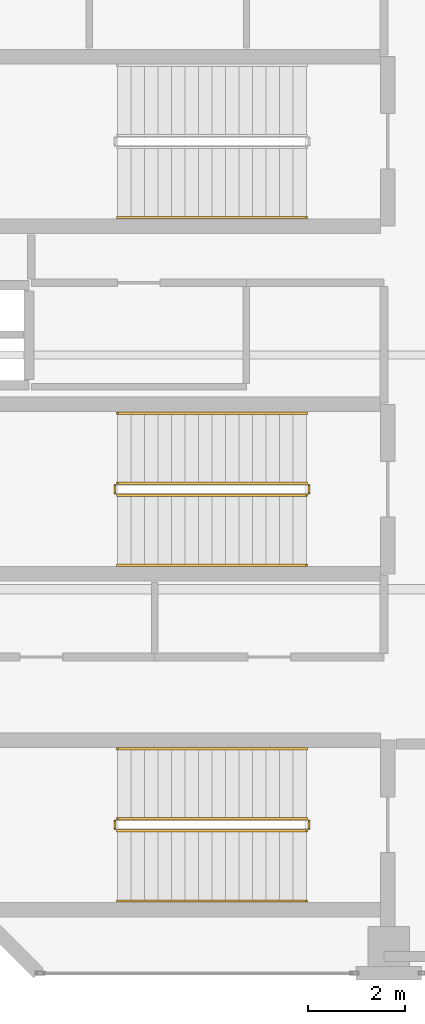
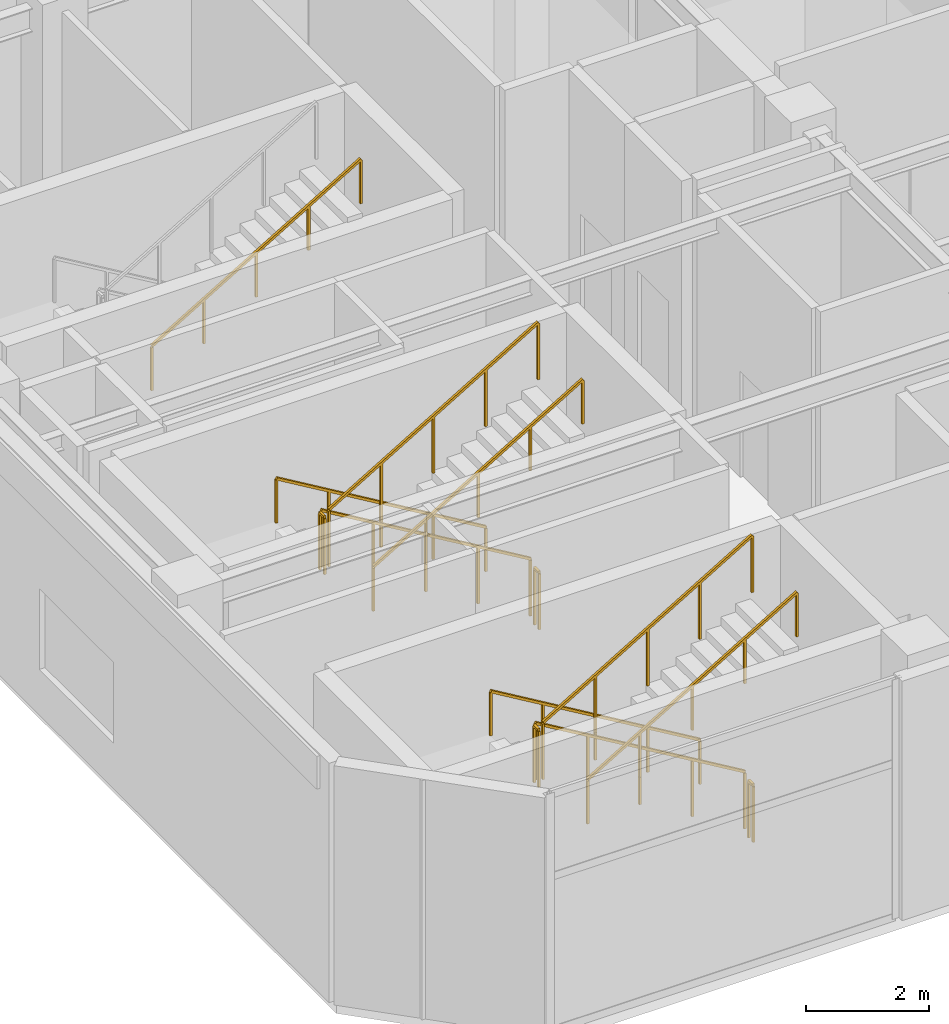
# One storey, part 13 of 16: 13 railings.
"""IFC4 building model written with IfcOpenShell, lengths in metres."""

import ifcopenshell
import ifcopenshell.guid

model = None  # the IFC model being written
_history = None  # IfcOwnerHistory: only IFC2X3 demands one
_inside = {}  # id of a spatial element -> (the spatial element, [elements in it])
_under = {}  # id of a project, library or spatial element -> (it, [spatial elements below it])
_declared = {}  # id of a project -> (the project, [libraries it declares])
_typed = {}  # id of a type object -> (the type object, [elements of that type])
_made_of = {}  # id of a material, layer set ... -> (it, [elements and type objects made of it])


def new_model(schema):
    """Start an empty IFC model of exactly this schema.

    Asked for "IFC4X3", IfcOpenShell would pick the latest addendum, in which some entities
    have other attributes; the version numbers below select the first issue.
    IFC2X3 requires an IfcOwnerHistory on every rooted entity: one is made here for all.
    """
    global model, _history
    if schema == "IFC4X3":
        model = ifcopenshell.file(schema_version=(4, 3, 0, 0))
    else:
        model = ifcopenshell.file(schema=schema)
    _inside.clear()
    _under.clear()
    _declared.clear()
    _typed.clear()
    _made_of.clear()
    _history = None
    if model.schema == "IFC2X3":
        org = make("IfcOrganization", Name="unknown")
        user = make(
            "IfcPersonAndOrganization",
            ThePerson=make("IfcPerson", FamilyName="unknown"),
            TheOrganization=org,
        )
        app = make(
            "IfcApplication",
            ApplicationDeveloper=org,
            Version="unknown",
            ApplicationFullName="unknown",
            ApplicationIdentifier="unknown",
        )
        _history = make(
            "IfcOwnerHistory",
            OwningUser=user,
            OwningApplication=app,
            ChangeAction="ADDED",
            CreationDate=0,
        )
    return model


def make(cls, **values):
    """One entity of the class cls with the attributes given. An attribute that is None is left unset."""
    return model.create_entity(
        cls, **{name: value for name, value in values.items() if value is not None}
    )


def rooted(cls, **values):
    """An entity with a GlobalId (a new one), such as an element, a storey or a relation."""
    return make(cls, GlobalId=ifcopenshell.guid.new(), OwnerHistory=_history, **values)


def si_unit(unit_type, name, prefix=None):
    """IfcSIUnit, for example si_unit("LENGTHUNIT", "METRE", prefix="MILLI")."""
    return make("IfcSIUnit", UnitType=unit_type, Prefix=prefix, Name=name)


def assignment(units):
    """IfcUnitAssignment: the units of a project."""
    return None if units is None else make("IfcUnitAssignment", Units=units)


def point(xyz):
    """IfcCartesianPoint."""
    return None if xyz is None else make("IfcCartesianPoint", Coordinates=xyz)


def direction(xyz):
    """IfcDirection."""
    return None if xyz is None else make("IfcDirection", DirectionRatios=xyz)


def frame(location, z_axis=None, x_axis=None):
    """IfcAxis2Placement3D, a coordinate frame: its origin and axes. An axis left out is left unset."""
    return make(
        "IfcAxis2Placement3D",
        Location=point(location),
        Axis=direction(z_axis),
        RefDirection=direction(x_axis),
    )


def frame_2d(location, x_axis=None):
    """IfcAxis2Placement2D, a coordinate frame in the plane: its origin and x axis."""
    return make(
        "IfcAxis2Placement2D", Location=point(location), RefDirection=direction(x_axis)
    )


def origin():
    """The frame at (0, 0, 0) with its axes left unset."""
    return frame((0.0, 0.0, 0.0))


def origin_2d():
    """The frame at (0, 0) in the plane with its x axis left unset."""
    return frame_2d((0.0, 0.0))


def place(relative_to, where):
    """IfcLocalPlacement: puts the frame where relative to a parent placement (None: the world)."""
    return make(
        "IfcLocalPlacement", PlacementRelTo=relative_to, RelativePlacement=where
    )


def context(
    kind, dimensions, precision=None, world=None, true_north=None, identifier=None
):
    """IfcGeometricRepresentationContext, for example the 3D "Model" context."""
    return make(
        "IfcGeometricRepresentationContext",
        ContextIdentifier=identifier,
        ContextType=kind,
        CoordinateSpaceDimension=dimensions,
        Precision=precision,
        WorldCoordinateSystem=world,
        TrueNorth=true_north,
    )


def subcontext(parent, identifier, kind, view, scale=None):
    """IfcGeometricRepresentationSubContext, for example "Body" below "Model"."""
    return make(
        "IfcGeometricRepresentationSubContext",
        ContextIdentifier=identifier,
        ContextType=kind,
        ParentContext=parent,
        TargetScale=scale,
        TargetView=view,
    )


def project(units=None, contexts=None):
    """IfcProject with its units and contexts."""
    return rooted(
        "IfcProject",
        Name="project",
        RepresentationContexts=contexts,
        UnitsInContext=assignment(units),
    )


def spatial(cls, under=None, at=None, **own):
    """A site, building, storey or space (cls), placed at a placement, below another one or the project."""
    s = rooted(cls, ObjectPlacement=at, **own)
    if under is not None:
        _under.setdefault(under.id(), (under, []))[1].append(s)
    return s


def profile(cls, at=None, kind="AREA", **sizes):
    """A parametric profile (cls). Its sizes go by their IFC names, for example OverallWidth=200.0."""
    return make(cls, ProfileType=kind, Position=at, **sizes)


def rectangle(**sizes):
    """IfcRectangleProfileDef."""
    return profile("IfcRectangleProfileDef", **sizes)


def extrude(swept, where, along, depth):
    """IfcExtrudedAreaSolid: the profile swept, set in the frame where, extruded along a direction by depth."""
    return make(
        "IfcExtrudedAreaSolid",
        SweptArea=swept,
        Position=where,
        ExtrudedDirection=direction(along),
        Depth=depth,
    )


def shape(context_of_items, identifier, shape_type, items):
    """IfcShapeRepresentation: the items that make up one representation, for example the "Body"."""
    return make(
        "IfcShapeRepresentation",
        ContextOfItems=context_of_items,
        RepresentationIdentifier=identifier,
        RepresentationType=shape_type,
        Items=items,
    )


def material(Name=None, Category=None):
    """IfcMaterial."""
    return make("IfcMaterial", Name=Name, Category=Category)


def made_of(thing, what):
    """Note that an element or type object is made of a material, layer set ...; save() writes the relation."""
    if what is not None:
        _made_of.setdefault(what.id(), (what, []))[1].append(thing)
    return thing


def type_object(cls, material=None, **own):
    """A type object (cls), such as IfcWallType, which elements share."""
    return made_of(rooted(cls, **own), material)


def element(
    cls,
    number,
    at=None,
    inside=None,
    cuts=None,
    type_object=None,
    material=None,
    context=None,
    identifier="Body",
    shape_type=None,
    held_by="IfcProductDefinitionShape",
    body=None,
    shapes=None,
    **own,
):
    """One element of the class cls, such as IfcWall. Its Tag is "e" and its number.

    at: its placement. inside: the storey or other place that contains it. cuts: it is an
    opening in that element (IfcRelVoidsElement). A single representation is given by context,
    identifier, shape_type and body (its items); several are given by shapes. held_by: the class
    of the entity that holds the representations. save() writes the other relations.
    """
    e = rooted(cls, Tag="e%d" % number, ObjectPlacement=at, **own)
    if body is not None:
        shapes = [shape(context, identifier, shape_type, body)]
    if shapes is not None:
        e.Representation = make(held_by, Representations=shapes)
    if inside is not None:
        _inside.setdefault(inside.id(), (inside, []))[1].append(e)
    if cuts is not None:
        rooted(
            "IfcRelVoidsElement", RelatingBuildingElement=cuts, RelatedOpeningElement=e
        )
    if type_object is not None:
        _typed.setdefault(type_object.id(), (type_object, []))[1].append(e)
    return made_of(e, material)


def aggregate(whole, parts):
    """IfcRelAggregates: a whole, such as a stair, and the parts it consists of."""
    return rooted("IfcRelAggregates", RelatingObject=whole, RelatedObjects=parts)


def save(model, path):
    """Write the relations noted so far, then the file.

    IfcRelAggregates (storeys below a building ...), IfcRelContainedInSpatialStructure (elements
    in a storey), IfcRelDefinesByType, IfcRelAssociatesMaterial and IfcRelDeclares: one each for
    every whole, place, type object, material and project.
    """
    for whole, parts in _under.values():
        aggregate(whole, parts)
    for where, things in _inside.values():
        rooted(
            "IfcRelContainedInSpatialStructure",
            RelatedElements=things,
            RelatingStructure=where,
        )
    for kind, things in _typed.values():
        rooted("IfcRelDefinesByType", RelatedObjects=things, RelatingType=kind)
    for what, things in _made_of.values():
        rooted("IfcRelAssociatesMaterial", RelatedObjects=things, RelatingMaterial=what)
    for by, libraries in _declared.values():
        rooted("IfcRelDeclares", RelatingContext=by, RelatedDefinitions=libraries)
    model.write(path)


model = new_model("IFC4")

# Units and contexts
model_context = context("Model", 3, precision=1e-05, world=origin(), true_north=direction((0.0, 1.0)))
body_context = subcontext(model_context, "Body", "Model", "MODEL_VIEW")
ifc_project = project(units=[si_unit("LENGTHUNIT", "METRE"), si_unit("AREAUNIT", "SQUARE_METRE"), si_unit("VOLUMEUNIT", "CUBIC_METRE"), si_unit("PLANEANGLEUNIT", "RADIAN"), si_unit("MASSUNIT", "GRAM", prefix="KILO")], contexts=[model_context])

# Site, building, storey
site_placement = place(None, origin())
site = spatial("IfcSite", under=ifc_project, at=site_placement, CompositionType="ELEMENT")
building_placement = place(site_placement, origin())
building = spatial("IfcBuilding", under=site, at=building_placement, Name="Mawjaban Terraces University", CompositionType="ELEMENT")
storey_placement = place(building_placement, frame((0.0, 0.0, 311.699951171875)))
storey = spatial("IfcBuildingStorey", under=building, at=storey_placement, Name="L76", CompositionType="ELEMENT", Elevation=311.699951171875)

# Railings
ifc_material_1 = material(Name="Brushed stainless steel 316", Category="steel")
railing_type_1 = type_object("IfcRailingType", Name="StairWallHandrail_900", PredefinedType="HANDRAIL", material=ifc_material_1)
railing_1_placement = place(storey_placement, frame((30.050048828125, 4.64990234375, 0.166748046875)))
element("IfcRailing", 1, at=railing_1_placement, inside=storey, type_object=railing_type_1, Name="L76 ST-1 stair handrail 1", PredefinedType="HANDRAIL", context=body_context, shape_type="SweptSolid", body=[
    extrude(rectangle(XDim=0.048095703125, YDim=0.048095703125, at=origin_2d()), frame((0.0, 0.0, 0.8759765625), z_axis=(-0.859310244771, 0.0, 0.511454693235), x_axis=(0.0, -1.0, 0.0)), (0.0, 0.0, 1.0), 4.56201171875),
    extrude(rectangle(XDim=0.0419921875, YDim=0.0419921875, at=origin_2d()), origin(), (0.0, 0.0, 1.0), 0.851806640625),
    extrude(rectangle(XDim=0.0419921875, YDim=0.0419921875, at=origin_2d()), frame((-0.97998046875, 0.0, 0.583251953125)), (0.0, 0.0, 1.0), 0.851806640625),
    extrude(rectangle(XDim=0.0419921875, YDim=0.0419921875, at=origin_2d()), frame((-1.9599609375, 0.0, 1.16650390625)), (0.0, 0.0, 1.0), 0.851806640625),
    extrude(rectangle(XDim=0.0419921875, YDim=0.0419921875, at=origin_2d()), frame((-2.940185546875, 0.0, 1.75)), (0.0, 0.0, 1.0), 0.851806640625),
    extrude(rectangle(XDim=0.0419921875, YDim=0.0419921875, at=origin_2d()), frame((-3.920166015625, 0.0, 2.333251953125)), (0.0, 0.0, 1.0), 0.851806640625),
])
for number, where, name in (
    (2, (26.1298828125, 1.5, 2.666748046875), "L76 ST-1 stair handrail 2"),
    (3, (26.1298828125, 15.64990234375, 2.666748046875), "L76 ST-2 stair handrail 2"),
):
    element("IfcRailing", number, at=place(storey_placement, frame(where)), inside=storey, type_object=railing_type_1, Name=name, PredefinedType="HANDRAIL", context=body_context, shape_type="SweptSolid", body=[
        extrude(rectangle(XDim=0.048095703125, YDim=0.048095703125, at=origin_2d()), frame((0.0, 0.0, 0.8759765625), z_axis=(0.859310244771, 0.0, 0.511454693235), x_axis=(0.0, 1.0, 0.0)), (0.0, 0.0, 1.0), 4.56201171875),
        extrude(rectangle(XDim=0.0419921875, YDim=0.0419921875, at=origin_2d()), origin(), (0.0, 0.0, 1.0), 0.851806640625),
        extrude(rectangle(XDim=0.0419921875, YDim=0.0419921875, at=origin_2d()), frame((0.97998046875, 0.0, 0.583251953125)), (0.0, 0.0, 1.0), 0.851806640625),
        extrude(rectangle(XDim=0.0419921875, YDim=0.0419921875, at=origin_2d()), frame((1.9599609375, 0.0, 1.16650390625)), (0.0, 0.0, 1.0), 0.851806640625),
        extrude(rectangle(XDim=0.0419921875, YDim=0.0419921875, at=origin_2d()), frame((2.940185546875, 0.0, 1.75)), (0.0, 0.0, 1.0), 0.851806640625),
        extrude(rectangle(XDim=0.0419921875, YDim=0.0419921875, at=origin_2d()), frame((3.920166015625, 0.0, 2.333251953125)), (0.0, 0.0, 1.0), 0.851806640625),
    ])
railing_2_placement = place(storey_placement, frame((30.050048828125, 11.60009765625, 0.166748046875)))
element("IfcRailing", 4, at=railing_2_placement, inside=storey, type_object=railing_type_1, Name="L76 ST-3 stair handrail 1", PredefinedType="HANDRAIL", context=body_context, shape_type="SweptSolid", body=[
    extrude(rectangle(XDim=0.048095703125, YDim=0.048095703125, at=origin_2d()), frame((0.0, 0.0, 0.8759765625), z_axis=(-0.859310244771, 0.0, 0.511454693235), x_axis=(0.0, -1.0, 0.0)), (0.0, 0.0, 1.0), 4.56201171875),
    extrude(rectangle(XDim=0.0419921875, YDim=0.0419921875, at=origin_2d()), origin(), (0.0, 0.0, 1.0), 0.851806640625),
    extrude(rectangle(XDim=0.0419921875, YDim=0.0419921875, at=origin_2d()), frame((-0.97998046875, 0.0, 0.583251953125)), (0.0, 0.0, 1.0), 0.851806640625),
    extrude(rectangle(XDim=0.0419921875, YDim=0.0419921875, at=origin_2d()), frame((-1.9599609375, 0.0, 1.16650390625)), (0.0, 0.0, 1.0), 0.851806640625),
    extrude(rectangle(XDim=0.0419921875, YDim=0.0419921875, at=origin_2d()), frame((-2.940185546875, 0.0, 1.75)), (0.0, 0.0, 1.0), 0.851806640625),
    extrude(rectangle(XDim=0.0419921875, YDim=0.0419921875, at=origin_2d()), frame((-3.920166015625, 0.0, 2.333251953125)), (0.0, 0.0, 1.0), 0.851806640625),
])
railing_3_placement = place(storey_placement, frame((26.1298828125, 8.449951171875, 2.666748046875)))
element("IfcRailing", 5, at=railing_3_placement, inside=storey, type_object=railing_type_1, Name="L76 ST-3 stair handrail 2", PredefinedType="HANDRAIL", context=body_context, shape_type="SweptSolid", body=[
    extrude(rectangle(XDim=0.048095703125, YDim=0.048095703125, at=origin_2d()), frame((0.0, 0.0, 0.8759765625), z_axis=(0.859310244771, 0.0, 0.511454693235), x_axis=(0.0, 1.0, 0.0)), (0.0, 0.0, 1.0), 4.56201171875),
    extrude(rectangle(XDim=0.0419921875, YDim=0.0419921875, at=origin_2d()), origin(), (0.0, 0.0, 1.0), 0.851806640625),
    extrude(rectangle(XDim=0.0419921875, YDim=0.0419921875, at=origin_2d()), frame((0.97998046875, 0.0, 0.583251953125)), (0.0, 0.0, 1.0), 0.851806640625),
    extrude(rectangle(XDim=0.0419921875, YDim=0.0419921875, at=origin_2d()), frame((1.9599609375, 0.0, 1.16650390625)), (0.0, 0.0, 1.0), 0.851806640625),
    extrude(rectangle(XDim=0.0419921875, YDim=0.0419921875, at=origin_2d()), frame((2.940185546875, 0.0, 1.75)), (0.0, 0.0, 1.0), 0.851806640625),
    extrude(rectangle(XDim=0.0419921875, YDim=0.0419921875, at=origin_2d()), frame((3.920166015625, 0.0, 2.333251953125)), (0.0, 0.0, 1.0), 0.851806640625),
])
ifc_material_2 = material(Name="Galvanised painted steel S355", Category="steel")
railing_type_2 = type_object("IfcRailingType", Name="StairWellGuard_1150", PredefinedType="BALUSTRADE", material=ifc_material_2)
railing_4_placement = place(storey_placement, frame((30.050048828125, 3.199951171875, 0.166748046875)))
element("IfcRailing", 6, at=railing_4_placement, inside=storey, type_object=railing_type_2, Name="L76 ST-1 stair guard 1", PredefinedType="BALUSTRADE", context=body_context, shape_type="SweptSolid", body=[
    extrude(rectangle(XDim=0.048095703125, YDim=0.048095703125, at=origin_2d()), frame((0.0, 0.0, 1.1259765625), z_axis=(-0.859310244771, 0.0, 0.511454693235), x_axis=(0.0, -1.0, 0.0)), (0.0, 0.0, 1.0), 4.56201171875),
    extrude(rectangle(XDim=0.0419921875, YDim=0.0419921875, at=origin_2d()), origin(), (0.0, 0.0, 1.0), 1.101806640625),
    extrude(rectangle(XDim=0.0419921875, YDim=0.0419921875, at=origin_2d()), frame((-0.97998046875, 0.0, 0.583251953125)), (0.0, 0.0, 1.0), 1.101806640625),
    extrude(rectangle(XDim=0.0419921875, YDim=0.0419921875, at=origin_2d()), frame((-1.9599609375, 0.0, 1.16650390625)), (0.0, 0.0, 1.0), 1.101806640625),
    extrude(rectangle(XDim=0.0419921875, YDim=0.0419921875, at=origin_2d()), frame((-2.940185546875, 0.0, 1.75)), (0.0, 0.0, 1.0), 1.101806640625),
    extrude(rectangle(XDim=0.0419921875, YDim=0.0419921875, at=origin_2d()), frame((-3.920166015625, 0.0, 2.333251953125)), (0.0, 0.0, 1.0), 1.101806640625),
])
railing_5_placement = place(storey_placement, frame((26.080078125, 3.14990234375, 2.5)))
element("IfcRailing", 7, at=railing_5_placement, inside=storey, type_object=railing_type_2, Name="L76 ST-1 stair guard 2", PredefinedType="BALUSTRADE", context=body_context, shape_type="SweptSolid", body=[
    extrude(rectangle(XDim=0.048095703125, YDim=0.048095703125, at=origin_2d()), frame((0.0, 0.0, 1.1259765625), z_axis=(0.0, -1.0, 0.0), x_axis=(1.0, 0.0, 0.0)), (0.0, 0.0, 1.0), 0.14990234375),
    extrude(rectangle(XDim=0.0419921875, YDim=0.0419921875, at=origin_2d()), origin(), (0.0, 0.0, 1.0), 1.101806640625),
    extrude(rectangle(XDim=0.0419921875, YDim=0.0419921875, at=origin_2d()), frame((0.0, -0.14990234375, 0.0)), (0.0, 0.0, 1.0), 1.101806640625),
])
railing_6_placement = place(storey_placement, frame((26.1298828125, 2.949951171875, 2.666748046875)))
element("IfcRailing", 8, at=railing_6_placement, inside=storey, type_object=railing_type_2, Name="L76 ST-1 stair guard 3", PredefinedType="BALUSTRADE", context=body_context, shape_type="SweptSolid", body=[
    extrude(rectangle(XDim=0.048095703125, YDim=0.048095703125, at=origin_2d()), frame((0.0, 0.0, 1.1259765625), z_axis=(0.859310244771, 0.0, 0.511454693235), x_axis=(0.0, 1.0, 0.0)), (0.0, 0.0, 1.0), 4.56201171875),
    extrude(rectangle(XDim=0.0419921875, YDim=0.0419921875, at=origin_2d()), origin(), (0.0, 0.0, 1.0), 1.101806640625),
    extrude(rectangle(XDim=0.0419921875, YDim=0.0419921875, at=origin_2d()), frame((0.97998046875, 0.0, 0.583251953125)), (0.0, 0.0, 1.0), 1.101806640625),
    extrude(rectangle(XDim=0.0419921875, YDim=0.0419921875, at=origin_2d()), frame((1.9599609375, 0.0, 1.16650390625)), (0.0, 0.0, 1.0), 1.101806640625),
    extrude(rectangle(XDim=0.0419921875, YDim=0.0419921875, at=origin_2d()), frame((2.940185546875, 0.0, 1.75)), (0.0, 0.0, 1.0), 1.101806640625),
    extrude(rectangle(XDim=0.0419921875, YDim=0.0419921875, at=origin_2d()), frame((3.920166015625, 0.0, 2.333251953125)), (0.0, 0.0, 1.0), 1.101806640625),
])
railing_7_placement = place(storey_placement, frame((30.10009765625, 3.14990234375, 0.0)))
element("IfcRailing", 9, at=railing_7_placement, inside=storey, type_object=railing_type_2, Name="L76 ST-1 stair guard 4", PredefinedType="BALUSTRADE", context=body_context, shape_type="SweptSolid", body=[
    extrude(rectangle(XDim=0.048095703125, YDim=0.048095703125, at=origin_2d()), frame((0.0, 0.0, 1.1259765625), z_axis=(0.0, -1.0, 0.0), x_axis=(1.0, 0.0, 0.0)), (0.0, 0.0, 1.0), 0.14990234375),
    extrude(rectangle(XDim=0.0419921875, YDim=0.0419921875, at=origin_2d()), origin(), (0.0, 0.0, 1.0), 1.101806640625),
    extrude(rectangle(XDim=0.0419921875, YDim=0.0419921875, at=origin_2d()), frame((0.0, -0.14990234375, 0.0)), (0.0, 0.0, 1.0), 1.101806640625),
])
railing_8_placement = place(storey_placement, frame((30.050048828125, 10.14990234375, 0.166748046875)))
element("IfcRailing", 10, at=railing_8_placement, inside=storey, type_object=railing_type_2, Name="L76 ST-3 stair guard 1", PredefinedType="BALUSTRADE", context=body_context, shape_type="SweptSolid", body=[
    extrude(rectangle(XDim=0.048095703125, YDim=0.048095703125, at=origin_2d()), frame((0.0, 0.0, 1.1259765625), z_axis=(-0.859310244771, 0.0, 0.511454693235), x_axis=(0.0, -1.0, 0.0)), (0.0, 0.0, 1.0), 4.56201171875),
    extrude(rectangle(XDim=0.0419921875, YDim=0.0419921875, at=origin_2d()), origin(), (0.0, 0.0, 1.0), 1.101806640625),
    extrude(rectangle(XDim=0.0419921875, YDim=0.0419921875, at=origin_2d()), frame((-0.97998046875, 0.0, 0.583251953125)), (0.0, 0.0, 1.0), 1.101806640625),
    extrude(rectangle(XDim=0.0419921875, YDim=0.0419921875, at=origin_2d()), frame((-1.9599609375, 0.0, 1.16650390625)), (0.0, 0.0, 1.0), 1.101806640625),
    extrude(rectangle(XDim=0.0419921875, YDim=0.0419921875, at=origin_2d()), frame((-2.940185546875, 0.0, 1.75)), (0.0, 0.0, 1.0), 1.101806640625),
    extrude(rectangle(XDim=0.0419921875, YDim=0.0419921875, at=origin_2d()), frame((-3.920166015625, 0.0, 2.333251953125)), (0.0, 0.0, 1.0), 1.101806640625),
])
railing_9_placement = place(storey_placement, frame((26.080078125, 10.10009765625, 2.5)))
element("IfcRailing", 11, at=railing_9_placement, inside=storey, type_object=railing_type_2, Name="L76 ST-3 stair guard 2", PredefinedType="BALUSTRADE", context=body_context, shape_type="SweptSolid", body=[
    extrude(rectangle(XDim=0.048095703125, YDim=0.048095703125, at=origin_2d()), frame((0.0, 0.0, 1.1259765625), z_axis=(0.0, -1.0, 0.0), x_axis=(1.0, 0.0, 0.0)), (0.0, 0.0, 1.0), 0.150146484375),
    extrude(rectangle(XDim=0.0419921875, YDim=0.0419921875, at=origin_2d()), origin(), (0.0, 0.0, 1.0), 1.101806640625),
    extrude(rectangle(XDim=0.0419921875, YDim=0.0419921875, at=origin_2d()), frame((0.0, -0.150146484375, 0.0)), (0.0, 0.0, 1.0), 1.101806640625),
])
railing_10_placement = place(storey_placement, frame((26.1298828125, 9.89990234375, 2.666748046875)))
element("IfcRailing", 12, at=railing_10_placement, inside=storey, type_object=railing_type_2, Name="L76 ST-3 stair guard 3", PredefinedType="BALUSTRADE", context=body_context, shape_type="SweptSolid", body=[
    extrude(rectangle(XDim=0.048095703125, YDim=0.048095703125, at=origin_2d()), frame((0.0, 0.0, 1.1259765625), z_axis=(0.859310244771, 0.0, 0.511454693235), x_axis=(0.0, 1.0, 0.0)), (0.0, 0.0, 1.0), 4.56201171875),
    extrude(rectangle(XDim=0.0419921875, YDim=0.0419921875, at=origin_2d()), origin(), (0.0, 0.0, 1.0), 1.101806640625),
    extrude(rectangle(XDim=0.0419921875, YDim=0.0419921875, at=origin_2d()), frame((0.97998046875, 0.0, 0.583251953125)), (0.0, 0.0, 1.0), 1.101806640625),
    extrude(rectangle(XDim=0.0419921875, YDim=0.0419921875, at=origin_2d()), frame((1.9599609375, 0.0, 1.16650390625)), (0.0, 0.0, 1.0), 1.101806640625),
    extrude(rectangle(XDim=0.0419921875, YDim=0.0419921875, at=origin_2d()), frame((2.940185546875, 0.0, 1.75)), (0.0, 0.0, 1.0), 1.101806640625),
    extrude(rectangle(XDim=0.0419921875, YDim=0.0419921875, at=origin_2d()), frame((3.920166015625, 0.0, 2.333251953125)), (0.0, 0.0, 1.0), 1.101806640625),
])
railing_11_placement = place(storey_placement, frame((30.10009765625, 10.10009765625, 0.0)))
element("IfcRailing", 13, at=railing_11_placement, inside=storey, type_object=railing_type_2, Name="L76 ST-3 stair guard 4", PredefinedType="BALUSTRADE", context=body_context, shape_type="SweptSolid", body=[
    extrude(rectangle(XDim=0.048095703125, YDim=0.048095703125, at=origin_2d()), frame((0.0, 0.0, 1.1259765625), z_axis=(0.0, -1.0, 0.0), x_axis=(1.0, 0.0, 0.0)), (0.0, 0.0, 1.0), 0.150146484375),
    extrude(rectangle(XDim=0.0419921875, YDim=0.0419921875, at=origin_2d()), origin(), (0.0, 0.0, 1.0), 1.101806640625),
    extrude(rectangle(XDim=0.0419921875, YDim=0.0419921875, at=origin_2d()), frame((0.0, -0.150146484375, 0.0)), (0.0, 0.0, 1.0), 1.101806640625),
])

save(model, "model.ifc")
